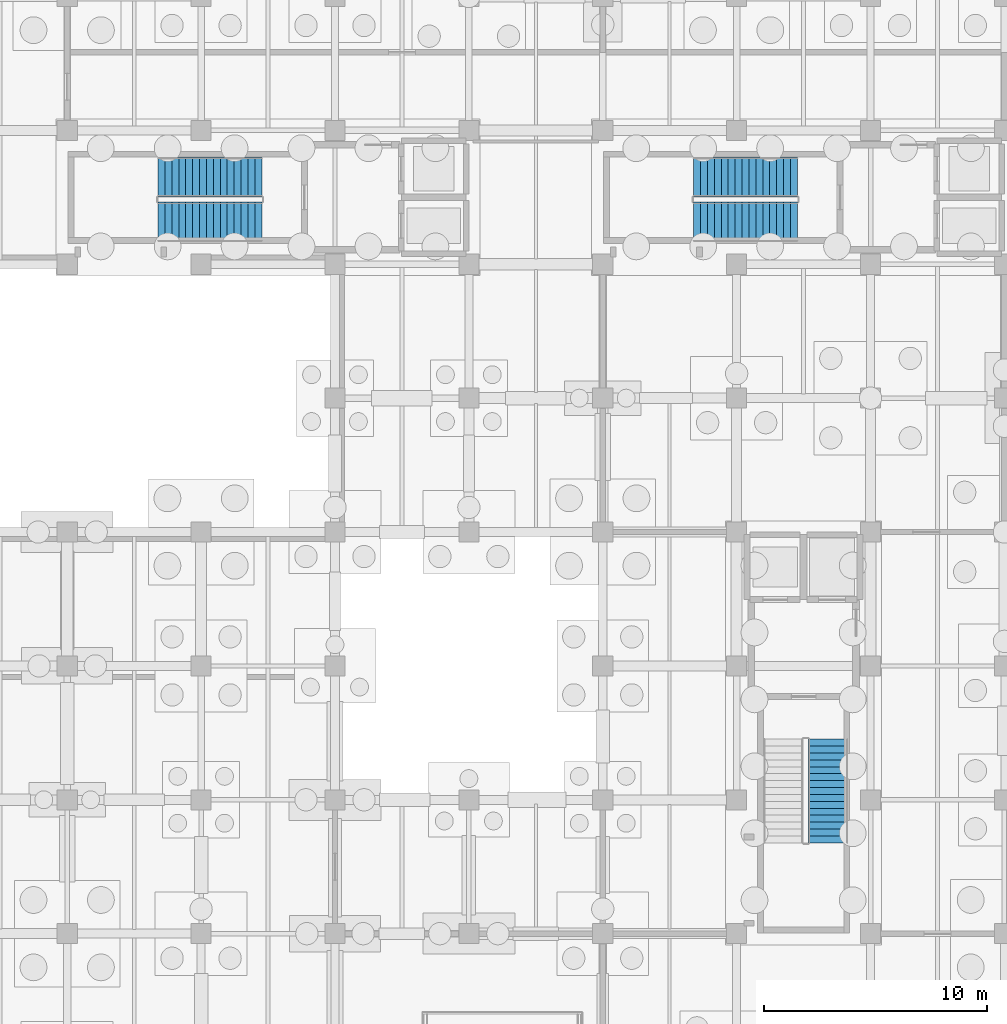
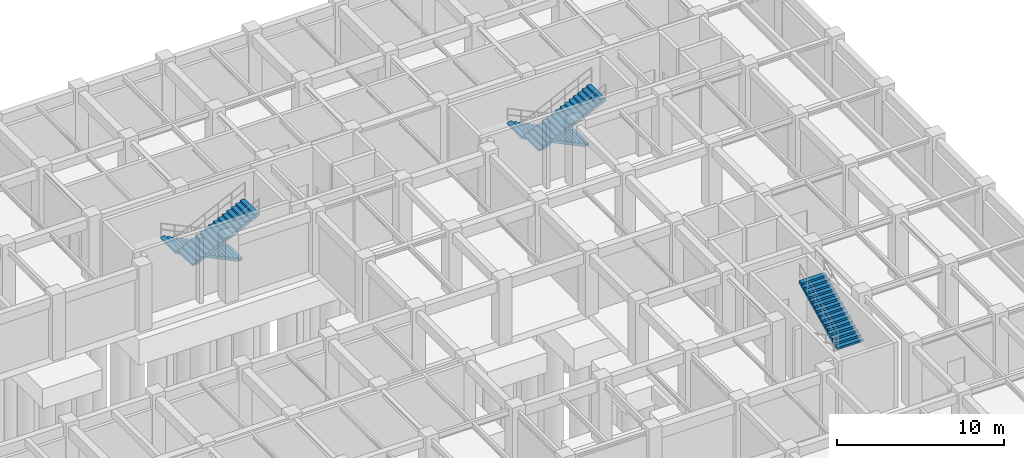
# One storey, part 47 of 54: 5 stair flights, 3 elements without a shape of their own.
"""IFC4 building model written with IfcOpenShell, lengths in metres."""

from ifc_helpers import new_model, si_unit, direction, frame, origin, place, context, subcontext, project, spatial, polyline, outline, extrude, material, type_object, element, aggregate, save


model = new_model("IFC4")

# Units and contexts
model_context = context("Model", 3, precision=1e-05, world=origin(), true_north=direction((0.0, 1.0)))
body_context = subcontext(model_context, "Body", "Model", "MODEL_VIEW")
ifc_project = project(units=[si_unit("LENGTHUNIT", "METRE"), si_unit("AREAUNIT", "SQUARE_METRE"), si_unit("VOLUMEUNIT", "CUBIC_METRE"), si_unit("PLANEANGLEUNIT", "RADIAN"), si_unit("MASSUNIT", "GRAM", prefix="KILO"), si_unit("THERMODYNAMICTEMPERATUREUNIT", "KELVIN"), si_unit("POWERUNIT", "WATT")], contexts=[model_context])

# Site, building, storey
site_placement = place(None, origin())
site = spatial("IfcSite", under=ifc_project, at=site_placement, CompositionType="ELEMENT")
building_placement = place(site_placement, origin())
building = spatial("IfcBuilding", under=site, at=building_placement, Name="Phaisarnlok Congress Hotel", CompositionType="ELEMENT")
storey_placement = place(building_placement, frame((0.0, 0.0, -4.800048828125)))
storey = spatial("IfcBuildingStorey", under=building, at=storey_placement, Name="B01", CompositionType="ELEMENT", Elevation=-4.800048828125)

# Stair, stair flights
ifc_material = material(Name="Concrete C40/50", Category="concrete")
stair_type = type_object("IfcStairType", Name="STR-DOG-01", PredefinedType="HALF_TURN_STAIR", material=ifc_material)
stair_1_placement = place(storey_placement, origin())
stair_1 = element("IfcStair", 1, at=stair_1_placement, inside=storey, type_object=stair_type, Name="B01 ST-05", PredefinedType="HALF_TURN_STAIR")
stair_flight_type = type_object("IfcStairFlightType", Name="SFL-RC-01", PredefinedType="STRAIGHT", material=ifc_material)
stair_flight_1_placement = place(storey_placement, frame((164.719970703125, 111.909912109375, 0.0), z_axis=(0.0, 0.0, 1.0), x_axis=(-1.0, 0.0, 0.0)))
stair_flight_1 = element("IfcStairFlight", 2, at=stair_flight_1_placement, type_object=stair_flight_type, Name="ST-05 flight 1", NumberOfRisers=16, NumberOfTreads=15, PredefinedType="STRAIGHT", RiserHeight=0.15, TreadLength=0.31, context=body_context, shape_type="SweptSolid", body=[
    extrude(outline(polyline([(0.0, 0.0), (0.0, 0.14990234375), (0.31005859375, 0.14990234375), (0.31005859375, 0.300048828125), (0.6201171875, 0.300048828125), (0.6201171875, 0.449951171875), (0.929931640625, 0.449951171875), (0.929931640625, 0.60009765625), (1.239990234375, 0.60009765625), (1.239990234375, 0.75), (1.550048828125, 0.75), (1.550048828125, 0.89990234375), (1.860107421875, 0.89990234375), (1.860107421875, 1.050048828125), (2.169921875, 1.050048828125), (2.169921875, 1.199951171875), (2.47998046875, 1.199951171875), (2.47998046875, 1.35009765625), (2.7900390625, 1.35009765625), (2.7900390625, 1.5), (3.10009765625, 1.5), (3.10009765625, 1.64990234375), (3.409912109375, 1.64990234375), (3.409912109375, 1.800048828125), (3.719970703125, 1.800048828125), (3.719970703125, 1.949951171875), (4.030029296875, 1.949951171875), (4.030029296875, 2.10009765625), (4.340087890625, 2.10009765625), (4.340087890625, 2.25), (4.64990234375, 2.25), (4.64990234375, 2.39990234375), (4.64990234375, 2.08349609375), (0.34423828125, 0.0), (0.0, 0.0)])), frame((0.0, 0.89013671875, 0.0), z_axis=(0.0, -1.0, 0.0), x_axis=(1.0, 0.0, 0.0)), (0.0, 0.0, 1.0), 1.780029296875),
])
stair_flight_2_placement = place(storey_placement, frame((160.070068359375, 109.889892578125, 2.400146484375), z_axis=(0.0, 0.0, 1.0), x_axis=(1.0, 0.0, 0.0)))
stair_flight_2 = element("IfcStairFlight", 3, at=stair_flight_2_placement, type_object=stair_flight_type, Name="ST-05 flight 2", NumberOfRisers=16, NumberOfTreads=15, PredefinedType="STRAIGHT", RiserHeight=0.15, TreadLength=0.31, context=body_context, shape_type="SweptSolid", body=[
    extrude(outline(polyline([(0.0, 0.0), (0.0, 0.14990234375), (0.31005859375, 0.14990234375), (0.31005859375, 0.300048828125), (0.6201171875, 0.300048828125), (0.6201171875, 0.449951171875), (0.929931640625, 0.449951171875), (0.929931640625, 0.60009765625), (1.239990234375, 0.60009765625), (1.239990234375, 0.75), (1.550048828125, 0.75), (1.550048828125, 0.89990234375), (1.860107421875, 0.89990234375), (1.860107421875, 1.050048828125), (2.169921875, 1.050048828125), (2.169921875, 1.199951171875), (2.47998046875, 1.199951171875), (2.47998046875, 1.35009765625), (2.7900390625, 1.35009765625), (2.7900390625, 1.5), (3.10009765625, 1.5), (3.10009765625, 1.64990234375), (3.409912109375, 1.64990234375), (3.409912109375, 1.800048828125), (3.719970703125, 1.800048828125), (3.719970703125, 1.949951171875), (4.030029296875, 1.949951171875), (4.030029296875, 2.10009765625), (4.340087890625, 2.10009765625), (4.340087890625, 2.25), (4.64990234375, 2.25), (4.64990234375, 2.39990234375), (4.64990234375, 2.08349609375), (0.34423828125, 0.0), (0.0, 0.0)])), frame((0.0, 0.89013671875, 0.0), z_axis=(0.0, -1.0, 0.0), x_axis=(1.0, 0.0, 0.0)), (0.0, 0.0, 1.0), 1.780029296875),
])
aggregate(stair_1, [stair_flight_1, stair_flight_2])

stair_2_placement = place(storey_placement, origin())
stair_2 = element("IfcStair", 4, at=stair_2_placement, inside=storey, type_object=stair_type, Name="B01 ST-06", PredefinedType="HALF_TURN_STAIR")
stair_flight_3_placement = place(storey_placement, frame((140.719970703125, 111.909912109375, 0.0), z_axis=(0.0, 0.0, 1.0), x_axis=(-1.0, 0.0, 0.0)))
stair_flight_3 = element("IfcStairFlight", 5, at=stair_flight_3_placement, type_object=stair_flight_type, Name="ST-06 flight 1", NumberOfRisers=16, NumberOfTreads=15, PredefinedType="STRAIGHT", RiserHeight=0.15, TreadLength=0.31, context=body_context, shape_type="SweptSolid", body=[
    extrude(outline(polyline([(0.0, 0.0), (0.0, 0.14990234375), (0.31005859375, 0.14990234375), (0.31005859375, 0.300048828125), (0.6201171875, 0.300048828125), (0.6201171875, 0.449951171875), (0.929931640625, 0.449951171875), (0.929931640625, 0.60009765625), (1.239990234375, 0.60009765625), (1.239990234375, 0.75), (1.550048828125, 0.75), (1.550048828125, 0.89990234375), (1.860107421875, 0.89990234375), (1.860107421875, 1.050048828125), (2.169921875, 1.050048828125), (2.169921875, 1.199951171875), (2.47998046875, 1.199951171875), (2.47998046875, 1.35009765625), (2.7900390625, 1.35009765625), (2.7900390625, 1.5), (3.10009765625, 1.5), (3.10009765625, 1.64990234375), (3.409912109375, 1.64990234375), (3.409912109375, 1.800048828125), (3.719970703125, 1.800048828125), (3.719970703125, 1.949951171875), (4.030029296875, 1.949951171875), (4.030029296875, 2.10009765625), (4.340087890625, 2.10009765625), (4.340087890625, 2.25), (4.64990234375, 2.25), (4.64990234375, 2.39990234375), (4.64990234375, 2.08349609375), (0.34423828125, 0.0), (0.0, 0.0)])), frame((0.0, 0.89013671875, 0.0), z_axis=(0.0, -1.0, 0.0), x_axis=(1.0, 0.0, 0.0)), (0.0, 0.0, 1.0), 1.780029296875),
])
stair_flight_4_placement = place(storey_placement, frame((136.070068359375, 109.889892578125, 2.400146484375), z_axis=(0.0, 0.0, 1.0), x_axis=(1.0, 0.0, 0.0)))
stair_flight_4 = element("IfcStairFlight", 6, at=stair_flight_4_placement, type_object=stair_flight_type, Name="ST-06 flight 2", NumberOfRisers=16, NumberOfTreads=15, PredefinedType="STRAIGHT", RiserHeight=0.15, TreadLength=0.31, context=body_context, shape_type="SweptSolid", body=[
    extrude(outline(polyline([(0.0, 0.0), (0.0, 0.14990234375), (0.31005859375, 0.14990234375), (0.31005859375, 0.300048828125), (0.6201171875, 0.300048828125), (0.6201171875, 0.449951171875), (0.929931640625, 0.449951171875), (0.929931640625, 0.60009765625), (1.239990234375, 0.60009765625), (1.239990234375, 0.75), (1.550048828125, 0.75), (1.550048828125, 0.89990234375), (1.860107421875, 0.89990234375), (1.860107421875, 1.050048828125), (2.169921875, 1.050048828125), (2.169921875, 1.199951171875), (2.47998046875, 1.199951171875), (2.47998046875, 1.35009765625), (2.7900390625, 1.35009765625), (2.7900390625, 1.5), (3.10009765625, 1.5), (3.10009765625, 1.64990234375), (3.409912109375, 1.64990234375), (3.409912109375, 1.800048828125), (3.719970703125, 1.800048828125), (3.719970703125, 1.949951171875), (4.030029296875, 1.949951171875), (4.030029296875, 2.10009765625), (4.340087890625, 2.10009765625), (4.340087890625, 2.25), (4.64990234375, 2.25), (4.64990234375, 2.39990234375), (4.64990234375, 2.08349609375), (0.34423828125, 0.0), (0.0, 0.0)])), frame((0.0, 0.89013671875, 0.0), z_axis=(0.0, -1.0, 0.0), x_axis=(1.0, 0.0, 0.0)), (0.0, 0.0, 1.0), 1.780029296875),
])
aggregate(stair_2, [stair_flight_3, stair_flight_4])

# Stair, stair flight
stair_3_placement = place(storey_placement, origin())
stair_3 = element("IfcStair", 7, at=stair_3_placement, inside=storey, type_object=stair_type, Name="B01 ST-09", PredefinedType="HALF_TURN_STAIR")
stair_flight_5_placement = place(storey_placement, frame((166.110107421875, 82.070068359375, 2.400146484375), z_axis=(0.0, 0.0, 1.0), x_axis=(0.0, 1.0, 0.0)))
stair_flight_5 = element("IfcStairFlight", 8, at=stair_flight_5_placement, type_object=stair_flight_type, Name="ST-09 flight 2", NumberOfRisers=16, NumberOfTreads=15, PredefinedType="STRAIGHT", RiserHeight=0.15, TreadLength=0.31, context=body_context, shape_type="SweptSolid", body=[
    extrude(outline(polyline([(0.0, 0.0), (0.0, 0.14990234375), (0.31005859375, 0.14990234375), (0.31005859375, 0.300048828125), (0.6201171875, 0.300048828125), (0.6201171875, 0.449951171875), (0.929931640625, 0.449951171875), (0.929931640625, 0.60009765625), (1.239990234375, 0.60009765625), (1.239990234375, 0.75), (1.550048828125, 0.75), (1.550048828125, 0.89990234375), (1.860107421875, 0.89990234375), (1.860107421875, 1.050048828125), (2.169921875, 1.050048828125), (2.169921875, 1.199951171875), (2.47998046875, 1.199951171875), (2.47998046875, 1.35009765625), (2.7900390625, 1.35009765625), (2.7900390625, 1.5), (3.10009765625, 1.5), (3.10009765625, 1.64990234375), (3.409912109375, 1.64990234375), (3.409912109375, 1.800048828125), (3.719970703125, 1.800048828125), (3.719970703125, 1.949951171875), (4.030029296875, 1.949951171875), (4.030029296875, 2.10009765625), (4.340087890625, 2.10009765625), (4.340087890625, 2.25), (4.64990234375, 2.25), (4.64990234375, 2.39990234375), (4.64990234375, 2.08349609375), (0.34423828125, 0.0), (0.0, 0.0)])), frame((0.0, 0.89013671875, 0.0), z_axis=(0.0, -1.0, 0.0), x_axis=(1.0, 0.0, 0.0)), (0.0, 0.0, 1.0), 1.780029296875),
])
aggregate(stair_3, [stair_flight_5])

save(model, "model.ifc")
